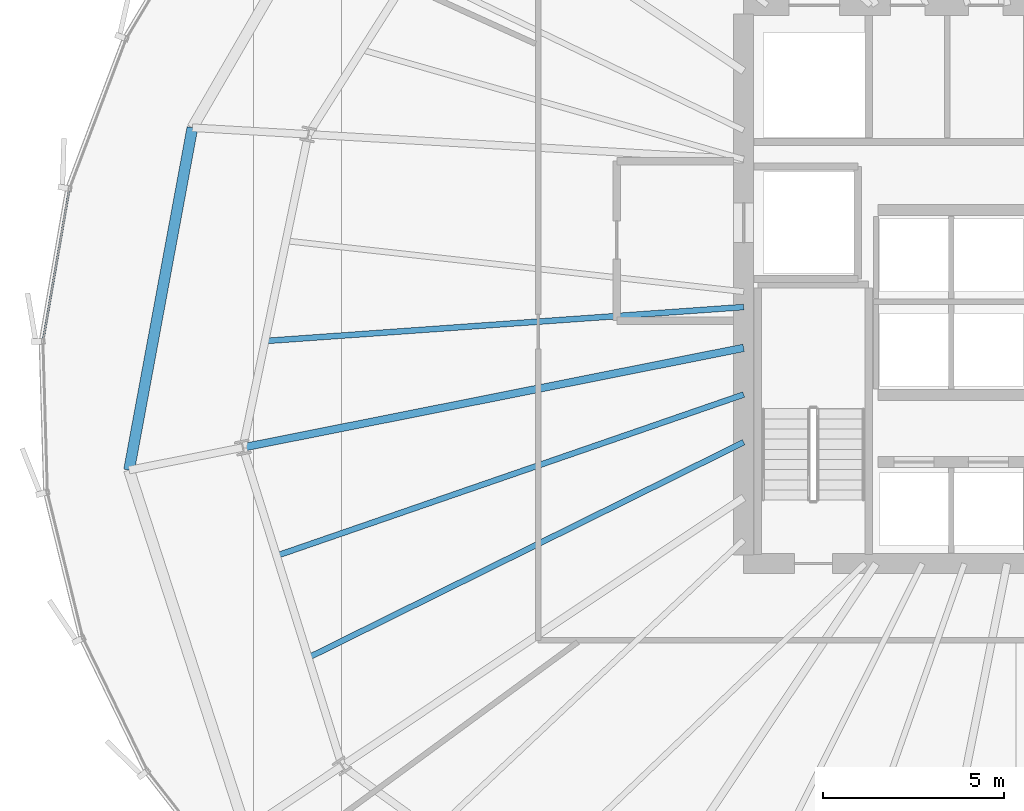
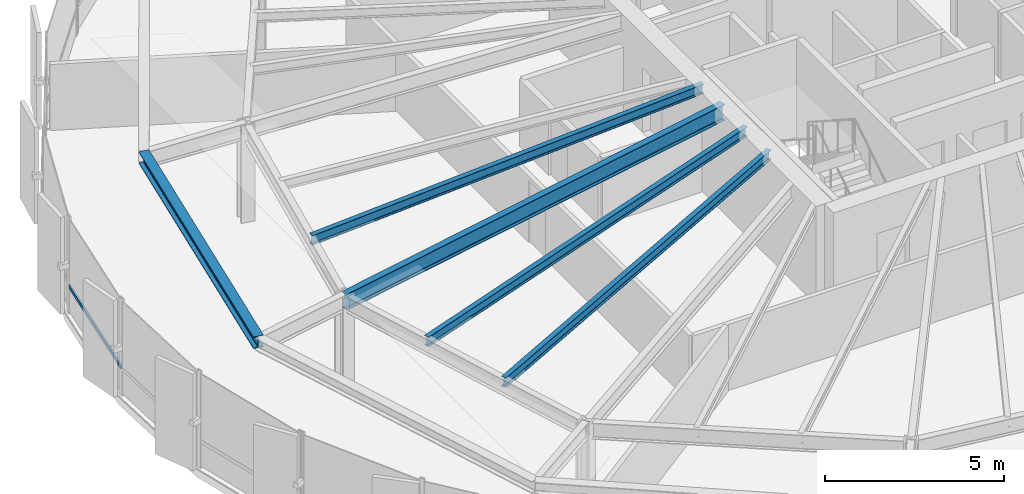
# One storey, part 9 of 33: 5 beams, 1 member, 1 element without a shape of its own.
"""IFC4 building model written with IfcOpenShell, lengths in metres."""

import ifcopenshell
import ifcopenshell.guid

model = None  # the IFC model being written
_history = None  # IfcOwnerHistory: only IFC2X3 demands one
_inside = {}  # id of a spatial element -> (the spatial element, [elements in it])
_under = {}  # id of a project, library or spatial element -> (it, [spatial elements below it])
_declared = {}  # id of a project -> (the project, [libraries it declares])
_typed = {}  # id of a type object -> (the type object, [elements of that type])
_made_of = {}  # id of a material, layer set ... -> (it, [elements and type objects made of it])


def new_model(schema):
    """Start an empty IFC model of exactly this schema.

    Asked for "IFC4X3", IfcOpenShell would pick the latest addendum, in which some entities
    have other attributes; the version numbers below select the first issue.
    IFC2X3 requires an IfcOwnerHistory on every rooted entity: one is made here for all.
    """
    global model, _history
    if schema == "IFC4X3":
        model = ifcopenshell.file(schema_version=(4, 3, 0, 0))
    else:
        model = ifcopenshell.file(schema=schema)
    _inside.clear()
    _under.clear()
    _declared.clear()
    _typed.clear()
    _made_of.clear()
    _history = None
    if model.schema == "IFC2X3":
        org = make("IfcOrganization", Name="unknown")
        user = make(
            "IfcPersonAndOrganization",
            ThePerson=make("IfcPerson", FamilyName="unknown"),
            TheOrganization=org,
        )
        app = make(
            "IfcApplication",
            ApplicationDeveloper=org,
            Version="unknown",
            ApplicationFullName="unknown",
            ApplicationIdentifier="unknown",
        )
        _history = make(
            "IfcOwnerHistory",
            OwningUser=user,
            OwningApplication=app,
            ChangeAction="ADDED",
            CreationDate=0,
        )
    return model


def make(cls, **values):
    """One entity of the class cls with the attributes given. An attribute that is None is left unset."""
    return model.create_entity(
        cls, **{name: value for name, value in values.items() if value is not None}
    )


def rooted(cls, **values):
    """An entity with a GlobalId (a new one), such as an element, a storey or a relation."""
    return make(cls, GlobalId=ifcopenshell.guid.new(), OwnerHistory=_history, **values)


def si_unit(unit_type, name, prefix=None):
    """IfcSIUnit, for example si_unit("LENGTHUNIT", "METRE", prefix="MILLI")."""
    return make("IfcSIUnit", UnitType=unit_type, Prefix=prefix, Name=name)


def assignment(units):
    """IfcUnitAssignment: the units of a project."""
    return None if units is None else make("IfcUnitAssignment", Units=units)


def point(xyz):
    """IfcCartesianPoint."""
    return None if xyz is None else make("IfcCartesianPoint", Coordinates=xyz)


def direction(xyz):
    """IfcDirection."""
    return None if xyz is None else make("IfcDirection", DirectionRatios=xyz)


def frame(location, z_axis=None, x_axis=None):
    """IfcAxis2Placement3D, a coordinate frame: its origin and axes. An axis left out is left unset."""
    return make(
        "IfcAxis2Placement3D",
        Location=point(location),
        Axis=direction(z_axis),
        RefDirection=direction(x_axis),
    )


def frame_2d(location, x_axis=None):
    """IfcAxis2Placement2D, a coordinate frame in the plane: its origin and x axis."""
    return make(
        "IfcAxis2Placement2D", Location=point(location), RefDirection=direction(x_axis)
    )


def origin():
    """The frame at (0, 0, 0) with its axes left unset."""
    return frame((0.0, 0.0, 0.0))


def origin_2d():
    """The frame at (0, 0) in the plane with its x axis left unset."""
    return frame_2d((0.0, 0.0))


def place(relative_to, where):
    """IfcLocalPlacement: puts the frame where relative to a parent placement (None: the world)."""
    return make(
        "IfcLocalPlacement", PlacementRelTo=relative_to, RelativePlacement=where
    )


def context(
    kind, dimensions, precision=None, world=None, true_north=None, identifier=None
):
    """IfcGeometricRepresentationContext, for example the 3D "Model" context."""
    return make(
        "IfcGeometricRepresentationContext",
        ContextIdentifier=identifier,
        ContextType=kind,
        CoordinateSpaceDimension=dimensions,
        Precision=precision,
        WorldCoordinateSystem=world,
        TrueNorth=true_north,
    )


def subcontext(parent, identifier, kind, view, scale=None):
    """IfcGeometricRepresentationSubContext, for example "Body" below "Model"."""
    return make(
        "IfcGeometricRepresentationSubContext",
        ContextIdentifier=identifier,
        ContextType=kind,
        ParentContext=parent,
        TargetScale=scale,
        TargetView=view,
    )


def project(units=None, contexts=None):
    """IfcProject with its units and contexts."""
    return rooted(
        "IfcProject",
        Name="project",
        RepresentationContexts=contexts,
        UnitsInContext=assignment(units),
    )


def spatial(cls, under=None, at=None, **own):
    """A site, building, storey or space (cls), placed at a placement, below another one or the project."""
    s = rooted(cls, ObjectPlacement=at, **own)
    if under is not None:
        _under.setdefault(under.id(), (under, []))[1].append(s)
    return s


def profile(cls, at=None, kind="AREA", **sizes):
    """A parametric profile (cls). Its sizes go by their IFC names, for example OverallWidth=200.0."""
    return make(cls, ProfileType=kind, Position=at, **sizes)


def hollow_rectangle(**sizes):
    """IfcRectangleHollowProfileDef."""
    return profile("IfcRectangleHollowProfileDef", **sizes)


def i_section(**sizes):
    """IfcIShapeProfileDef."""
    return profile("IfcIShapeProfileDef", **sizes)


def extrude(swept, where, along, depth):
    """IfcExtrudedAreaSolid: the profile swept, set in the frame where, extruded along a direction by depth."""
    return make(
        "IfcExtrudedAreaSolid",
        SweptArea=swept,
        Position=where,
        ExtrudedDirection=direction(along),
        Depth=depth,
    )


def shape(context_of_items, identifier, shape_type, items):
    """IfcShapeRepresentation: the items that make up one representation, for example the "Body"."""
    return make(
        "IfcShapeRepresentation",
        ContextOfItems=context_of_items,
        RepresentationIdentifier=identifier,
        RepresentationType=shape_type,
        Items=items,
    )


def source(mapping_origin, context_of_items, identifier, shape_type, items):
    """IfcRepresentationMap: a shape defined once, which mapped items show again and again."""
    return make(
        "IfcRepresentationMap",
        MappingOrigin=mapping_origin,
        MappedRepresentation=shape(context_of_items, identifier, shape_type, items),
    )


def transform(
    local_origin,
    x_axis=None,
    y_axis=None,
    z_axis=None,
    scale=None,
    scale2=None,
    scale3=None,
    uniform=True,
):
    """IfcCartesianTransformationOperator3D, or its non-uniform kind. x_axis, y_axis, z_axis: its Axis1, 2, 3."""
    if uniform:
        return make(
            "IfcCartesianTransformationOperator3D",
            Axis1=direction(x_axis),
            Axis2=direction(y_axis),
            LocalOrigin=point(local_origin),
            Scale=scale,
            Axis3=direction(z_axis),
        )
    return make(
        "IfcCartesianTransformationOperator3DnonUniform",
        Axis1=direction(x_axis),
        Axis2=direction(y_axis),
        LocalOrigin=point(local_origin),
        Scale=scale,
        Axis3=direction(z_axis),
        Scale2=scale2,
        Scale3=scale3,
    )


def mapped(mapping_source, mapping_target):
    """IfcMappedItem: shows the shape of a source again, moved by a transform."""
    return make(
        "IfcMappedItem", MappingSource=mapping_source, MappingTarget=mapping_target
    )


def material(Name=None, Category=None):
    """IfcMaterial."""
    return make("IfcMaterial", Name=Name, Category=Category)


def layer(
    of_material, thickness, ventilated=None, Name=None, Category=None, Priority=None
):
    """IfcMaterialLayer: one layer of a wall or slab, of a material (None: an air gap)."""
    return make(
        "IfcMaterialLayer",
        Material=of_material,
        LayerThickness=thickness,
        IsVentilated=ventilated,
        Name=Name,
        Category=Category,
        Priority=Priority,
    )


def layer_set(layers, Name=None):
    """IfcMaterialLayerSet."""
    return make("IfcMaterialLayerSet", MaterialLayers=layers, LayerSetName=Name)


def material_profile(
    of_material, cross_section, Name=None, Category=None, Priority=None
):
    """IfcMaterialProfile: a cross section and its material."""
    return make(
        "IfcMaterialProfile",
        Name=Name,
        Material=of_material,
        Profile=cross_section,
        Priority=Priority,
        Category=Category,
    )


def profile_set(profiles, Name=None, composite=None):
    """IfcMaterialProfileSet."""
    return make(
        "IfcMaterialProfileSet",
        Name=Name,
        MaterialProfiles=profiles,
        CompositeProfile=composite,
    )


def made_of(thing, what):
    """Note that an element or type object is made of a material, layer set ...; save() writes the relation."""
    if what is not None:
        _made_of.setdefault(what.id(), (what, []))[1].append(thing)
    return thing


def type_object(cls, material=None, **own):
    """A type object (cls), such as IfcWallType, which elements share."""
    return made_of(rooted(cls, **own), material)


def element(
    cls,
    number,
    at=None,
    inside=None,
    cuts=None,
    type_object=None,
    material=None,
    context=None,
    identifier="Body",
    shape_type=None,
    held_by="IfcProductDefinitionShape",
    body=None,
    shapes=None,
    **own,
):
    """One element of the class cls, such as IfcWall. Its Tag is "e" and its number.

    at: its placement. inside: the storey or other place that contains it. cuts: it is an
    opening in that element (IfcRelVoidsElement). A single representation is given by context,
    identifier, shape_type and body (its items); several are given by shapes. held_by: the class
    of the entity that holds the representations. save() writes the other relations.
    """
    e = rooted(cls, Tag="e%d" % number, ObjectPlacement=at, **own)
    if body is not None:
        shapes = [shape(context, identifier, shape_type, body)]
    if shapes is not None:
        e.Representation = make(held_by, Representations=shapes)
    if inside is not None:
        _inside.setdefault(inside.id(), (inside, []))[1].append(e)
    if cuts is not None:
        rooted(
            "IfcRelVoidsElement", RelatingBuildingElement=cuts, RelatedOpeningElement=e
        )
    if type_object is not None:
        _typed.setdefault(type_object.id(), (type_object, []))[1].append(e)
    return made_of(e, material)


def aggregate(whole, parts):
    """IfcRelAggregates: a whole, such as a stair, and the parts it consists of."""
    return rooted("IfcRelAggregates", RelatingObject=whole, RelatedObjects=parts)


def save(model, path):
    """Write the relations noted so far, then the file.

    IfcRelAggregates (storeys below a building ...), IfcRelContainedInSpatialStructure (elements
    in a storey), IfcRelDefinesByType, IfcRelAssociatesMaterial and IfcRelDeclares: one each for
    every whole, place, type object, material and project.
    """
    for whole, parts in _under.values():
        aggregate(whole, parts)
    for where, things in _inside.values():
        rooted(
            "IfcRelContainedInSpatialStructure",
            RelatedElements=things,
            RelatingStructure=where,
        )
    for kind, things in _typed.values():
        rooted("IfcRelDefinesByType", RelatedObjects=things, RelatingType=kind)
    for what, things in _made_of.values():
        rooted("IfcRelAssociatesMaterial", RelatedObjects=things, RelatingMaterial=what)
    for by, libraries in _declared.values():
        rooted("IfcRelDeclares", RelatingContext=by, RelatedDefinitions=libraries)
    model.write(path)


model = new_model("IFC4")

# Units and contexts
model_context = context("Model", 3, precision=1e-05, world=origin(), true_north=direction((0.0, 1.0)))
body_context = subcontext(model_context, "Body", "Model", "MODEL_VIEW")
ifc_project = project(units=[si_unit("LENGTHUNIT", "METRE"), si_unit("AREAUNIT", "SQUARE_METRE"), si_unit("VOLUMEUNIT", "CUBIC_METRE"), si_unit("PLANEANGLEUNIT", "RADIAN"), si_unit("MASSUNIT", "GRAM", prefix="KILO"), si_unit("THERMODYNAMICTEMPERATUREUNIT", "KELVIN")], contexts=[model_context])

# Site, building, storey
site_placement = place(None, origin())
site = spatial("IfcSite", under=ifc_project, at=site_placement, CompositionType="ELEMENT")
building_placement = place(site_placement, origin())
building = spatial("IfcBuilding", under=site, at=building_placement, Name="Kethvar Cultural Tower", CompositionType="ELEMENT")
storey_placement = place(building_placement, frame((0.0, 0.0, 114.39990234375)))
storey = spatial("IfcBuildingStorey", under=building, at=storey_placement, Name="L28", CompositionType="ELEMENT", Elevation=114.39990234375)

# Beams
ifc_material_1 = material(Name="Steel S355J2", Category="steel")
ifc_material_profile_1 = material_profile(ifc_material_1, i_section(OverallWidth=0.2099609375, OverallDepth=0.550048828125, WebThickness=0.010986328125, FlangeThickness=0.01708984375, FilletRadius=0.02392578125, at=origin_2d()), Name="Steel S355J2 — IPE550")
ifc_profile_set_1 = profile_set([ifc_material_profile_1], Name="Steel S355J2 — IPE550")
beam_type_1 = type_object("IfcBeamType", Name="BM-IPE550", PredefinedType="BEAM", material=ifc_profile_set_1)
shared_shape_1 = source(origin(), body_context, "Body", "SweptSolid", [
    extrude(i_section(OverallWidth=0.2099609375, OverallDepth=0.550048828125, WebThickness=0.010986328125, FlangeThickness=0.01708984375, FilletRadius=0.02392578125, at=origin_2d()), origin(), (0.0, 0.0, 1.0), 14.085205078125),
])
beam_1_placement = place(storey_placement, frame((38.0, 26.049560546875, 3.072998046875), z_axis=(-0.98078679373, -0.195082713854, 0.0), x_axis=(0.195082713854, -0.98078679373, 0.0)))
element("IfcBeam", 1, at=beam_1_placement, inside=storey, type_object=beam_type_1, Name="L28 Primary Radial Beam RB-09", PredefinedType="BEAM", context=body_context, shape_type="MappedRepresentation", body=[
    mapped(shared_shape_1, transform((0.0, 0.0, 0.0), scale=1.0)),
])
ifc_material_profile_2 = material_profile(ifc_material_1, i_section(OverallWidth=0.300048828125, OverallDepth=0.39990234375, WebThickness=0.013427734375, FlangeThickness=0.02392578125, FilletRadius=0.027099609375, at=origin_2d()), Name="Steel S355J2 — HEB400")
ifc_profile_set_2 = profile_set([ifc_material_profile_2], Name="Steel S355J2 — HEB400")
beam_type_2 = type_object("IfcBeamType", Name="BM-SP400", PredefinedType="SPANDREL", material=ifc_profile_set_2)
shared_shape_2 = source(origin(), body_context, "Body", "SweptSolid", [
    extrude(i_section(OverallWidth=0.300048828125, OverallDepth=0.39990234375, WebThickness=0.013427734375, FlangeThickness=0.02392578125, FilletRadius=0.027099609375, at=origin_2d()), origin(), (0.0, 0.0, 1.0), 9.605712890625),
])
beam_2_placement = place(storey_placement, frame((22.793701171875, 32.123046875, 3.148193359375), z_axis=(-0.1818526217, -0.983325797476, 0.0), x_axis=(0.983325797476, -0.1818526217, 0.0)))
element("IfcBeam", 2, at=beam_2_placement, inside=storey, type_object=beam_type_2, Name="L28 Perimeter Spandrel Beam SP-08", PredefinedType="SPANDREL", context=body_context, shape_type="MappedRepresentation", body=[
    mapped(shared_shape_2, transform((0.0, 0.0, 0.0), scale=1.0)),
])
ifc_material_profile_3 = material_profile(ifc_material_1, i_section(OverallWidth=0.159912109375, OverallDepth=0.330078125, WebThickness=0.007568359375, FlangeThickness=0.011474609375, FilletRadius=0.01806640625, at=origin_2d()), Name="Steel S355J2 — IPE330")
ifc_profile_set_3 = profile_set([ifc_material_profile_3], Name="Steel S355J2 — IPE330")
beam_type_3 = type_object("IfcBeamType", Name="BM-J330", PredefinedType="JOIST", material=ifc_profile_set_3)
shared_shape_3 = source(origin(), body_context, "Body", "SweptSolid", [
    extrude(i_section(OverallWidth=0.159912109375, OverallDepth=0.330078125, WebThickness=0.007568359375, FlangeThickness=0.011474609375, FilletRadius=0.01806640625, at=origin_2d()), origin(), (0.0, 0.0, 1.0), 13.234619140625),
])
beam_3_placement = place(storey_placement, frame((38.0, 27.175537109375, 3.18310546875), z_axis=(-0.997490530945, -0.070800004767, 0.0), x_axis=(0.070800004767, -0.997490530945, 0.0)))
element("IfcBeam", 3, at=beam_3_placement, inside=storey, type_object=beam_type_3, Name="L28 Composite Floor Joist J-08B", PredefinedType="JOIST", context=body_context, shape_type="MappedRepresentation", body=[
    mapped(shared_shape_3, transform((0.0, 0.0, 0.0), scale=1.0)),
])
shared_shape_4 = source(origin(), body_context, "Body", "SweptSolid", [
    extrude(i_section(OverallWidth=0.159912109375, OverallDepth=0.330078125, WebThickness=0.007568359375, FlangeThickness=0.011474609375, FilletRadius=0.01806640625, at=origin_2d()), origin(), (0.0, 0.0, 1.0), 13.630615234375),
])
beam_4_placement = place(storey_placement, frame((38.0, 24.762451171875, 3.18310546875), z_axis=(-0.945269577646, -0.326290400682, 0.0), x_axis=(0.326290400682, -0.945269577646, 0.0)))
element("IfcBeam", 4, at=beam_4_placement, inside=storey, type_object=beam_type_3, Name="L28 Composite Floor Joist J-09A", PredefinedType="JOIST", context=body_context, shape_type="MappedRepresentation", body=[
    mapped(shared_shape_4, transform((0.0, 0.0, 0.0), scale=1.0)),
])
shared_shape_5 = source(origin(), body_context, "Body", "SweptSolid", [
    extrude(i_section(OverallWidth=0.159912109375, OverallDepth=0.330078125, WebThickness=0.007568359375, FlangeThickness=0.011474609375, FilletRadius=0.01806640625, at=origin_2d()), origin(), (0.0, 0.0, 1.0), 13.39892578125),
])
beam_5_placement = place(storey_placement, frame((38.0, 23.44580078125, 3.18310546875), z_axis=(-0.896292467417, -0.44346342899, 0.0), x_axis=(0.44346342899, -0.896292467417, 0.0)))
element("IfcBeam", 5, at=beam_5_placement, inside=storey, type_object=beam_type_3, Name="L28 Composite Floor Joist J-09B", PredefinedType="JOIST", context=body_context, shape_type="MappedRepresentation", body=[
    mapped(shared_shape_5, transform((0.0, 0.0, 0.0), scale=1.0)),
])

# Curtain wall, member
ifc_material_2 = material(Name="Aluminium 6063-T6", Category="aluminium")
ifc_layer = layer(ifc_material_2, 0.179931640625, Name="Aluminium 6063-T6", Category="aluminium")
ifc_layer_set = layer_set([ifc_layer], Name="Aluminium 6063-T6 (180 mm)")
curtain_wall_type = type_object("IfcCurtainWallType", Name="CW-SYS-03-Z2", PredefinedType="NOTDEFINED", material=ifc_layer_set)
curtain_wall_placement = place(storey_placement, origin())
curtain_wall = element("IfcCurtainWall", 6, at=curtain_wall_placement, inside=storey, type_object=curtain_wall_type, Name="L28 Curtain Wall Run 03", PredefinedType="NOTDEFINED")
ifc_material_profile_4 = material_profile(ifc_material_2, hollow_rectangle(XDim=0.054931640625, YDim=0.1201171875, WallThickness=0.00390625, at=origin_2d()), Name="Aluminium 6063-T6 — RHS120x55x4")
ifc_profile_set_4 = profile_set([ifc_material_profile_4], Name="Aluminium 6063-T6 — RHS120x55x4")
member_type = type_object("IfcMemberType", Name="CW-SYS-03-Z2-TRN", PredefinedType="USERDEFINED", material=ifc_profile_set_4)
shared_shape_6 = source(origin(), body_context, "Body", "SweptSolid", [
    extrude(hollow_rectangle(XDim=0.054931640625, YDim=0.1201171875, WallThickness=0.00390625, at=origin_2d()), origin(), (0.0, 0.0, 1.0), 4.211669921875),
])
member_placement = place(storey_placement, frame((19.393798828125, 30.400390625, 0.9501953125), z_axis=(-0.170768715337, -0.985311141651, 0.0), x_axis=(0.985311141651, -0.170768715337, 0.0)))
member = element("IfcMember", 7, at=member_placement, type_object=member_type, Name="CW-L28-R03 Transom 4", ObjectType="TRANSOM", PredefinedType="USERDEFINED", context=body_context, shape_type="MappedRepresentation", body=[
    mapped(shared_shape_6, transform((0.0, 0.0, 0.0), scale=1.0)),
])
aggregate(curtain_wall, [member])

save(model, "model.ifc")
